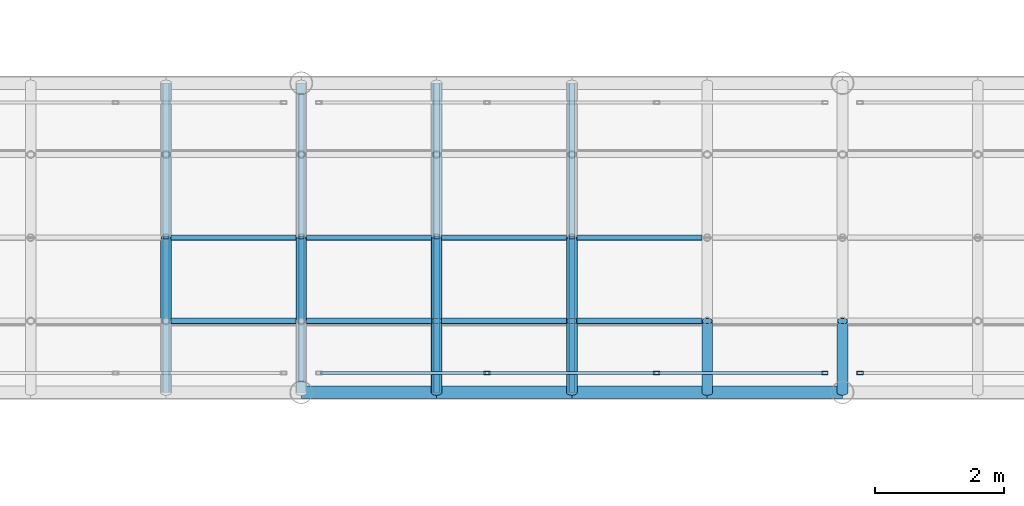
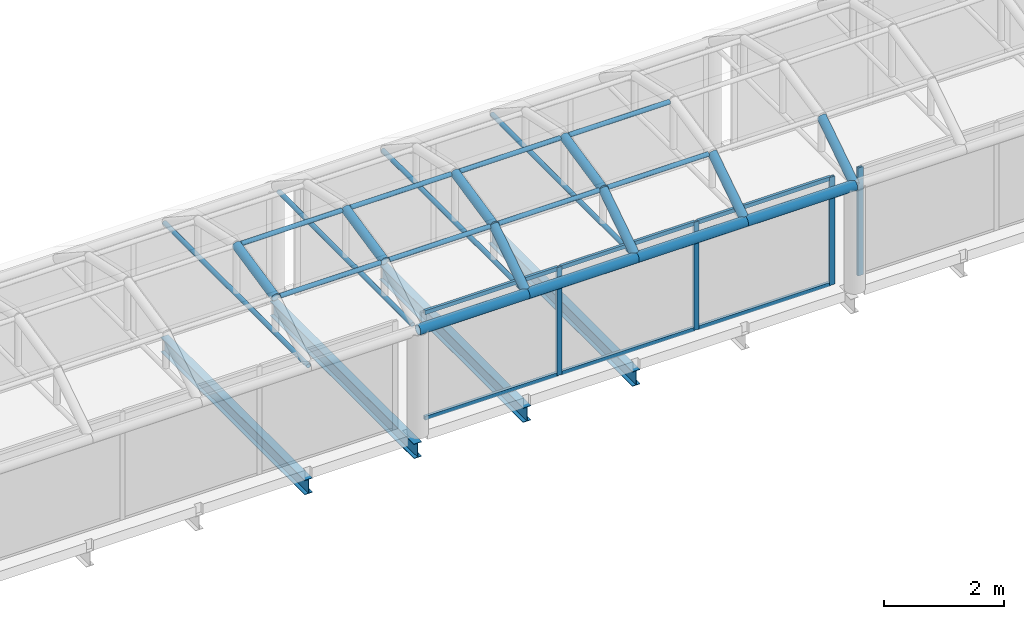
# One storey, part 39 of 167: 30 members, 8 beams, 2 elements without a shape of their own.
"""IFC4 building model written with IfcOpenShell, lengths in metres."""

from ifc_helpers import new_model, si_unit, direction, frame, origin, origin_2d, place, context, subcontext, project, spatial, hollow_rectangle, hollow_circle, i_section, extrude, material, material_profile, profile_set, type_object, element, aggregate, save


model = new_model("IFC4")

# Units and contexts
model_context = context("Model", 3, precision=1e-05, world=origin(), true_north=direction((0.0, 1.0)))
body_context = subcontext(model_context, "Body", "Model", "MODEL_VIEW")
ifc_project = project(units=[si_unit("LENGTHUNIT", "METRE"), si_unit("AREAUNIT", "SQUARE_METRE"), si_unit("VOLUMEUNIT", "CUBIC_METRE"), si_unit("PLANEANGLEUNIT", "RADIAN"), si_unit("MASSUNIT", "GRAM", prefix="KILO")], contexts=[model_context])

# Site, building, storey
site_placement = place(None, origin())
site = spatial("IfcSite", under=ifc_project, at=site_placement, CompositionType="ELEMENT")
building_placement = place(site_placement, origin())
building = spatial("IfcBuilding", under=site, at=building_placement, Name="Catenary Quay Ferry Terminal", CompositionType="ELEMENT")
storey_placement = place(building_placement, frame((0.0, 0.0, 6.0)))
storey = spatial("IfcBuildingStorey", under=building, at=storey_placement, Name="L01", CompositionType="ELEMENT", Elevation=6.0)

# Beams
ifc_material_1 = material(Name="Steel S355", Category="steel")
ifc_material_profile_1 = material_profile(ifc_material_1, i_section(OverallWidth=0.14990234375, OverallDepth=0.300048828125, WebThickness=0.007080078125, FlangeThickness=0.0107421875, at=origin_2d()), Name="IPE 300")
ifc_profile_set_1 = profile_set([ifc_material_profile_1], Name="Steel S355")
beam_type_1 = type_object("IfcBeamType", Name="B2 IPE 300", PredefinedType="BEAM", material=ifc_profile_set_1)
for number, where, z_axis, x_axis, name in (
    (1, (107.10009765625, 73.199951171875, -0.35009765625), (0.0, 1.0, 0.0), (-1.0, 0.0, 0.0), "Beam B2-007"),
    (2, (109.199951171875, 73.199951171875, -0.35009765625), (0.0, 1.0, 0.0), (-1.0, 0.0, 0.0), "Beam B2-008"),
    (3, (111.300048828125, 73.199951171875, -0.35009765625), (0.0, 1.0, 0.0), (-1.0, 0.0, 0.0), "Beam B2-009"),
    (4, (113.39990234375, 73.199951171875, -0.35009765625), (0.0, 1.0, 0.0), (-1.0, 0.0, 0.0), "Beam B2-010"),
):
    element("IfcBeam", number, at=place(storey_placement, frame(where, z_axis=z_axis, x_axis=x_axis)), inside=storey, type_object=beam_type_1, Name=name, PredefinedType="BEAM", context=body_context, shape_type="SweptSolid", body=[
        extrude(i_section(OverallWidth=0.14990234375, OverallDepth=0.300048828125, WebThickness=0.007080078125, FlangeThickness=0.0107421875, at=origin_2d()), origin(), (0.0, 0.0, 1.0), 4.800048828125),
    ])

# Curtain wall, members
ifc_material_2 = material(Name="Aluminium and glass", Category="aluminium")
curtain_wall_type = type_object("IfcCurtainWallType", Name="CWB", PredefinedType="NOTDEFINED", material=ifc_material_2)
curtain_wall_1_placement = place(storey_placement, origin())
curtain_wall_1 = element("IfcCurtainWall", 5, at=curtain_wall_1_placement, inside=storey, type_object=curtain_wall_type, Name="BB1 curtain wall CW58", PredefinedType="NOTDEFINED")
ifc_material_3 = material(Name="Aluminium", Category="aluminium")
ifc_material_profile_2 = material_profile(ifc_material_3, hollow_rectangle(XDim=0.050048828125, YDim=0.10009765625, WallThickness=0.0048828125, at=origin_2d()), Name="MU1")
ifc_profile_set_2 = profile_set([ifc_material_profile_2], Name="Aluminium")
member_type_1 = type_object("IfcMemberType", Name="MU1", PredefinedType="MULLION", material=ifc_profile_set_2)
member_1_placement = place(storey_placement, frame((112.083251953125, 73.5, 0.0), z_axis=(0.0, 0.0, 1.0), x_axis=(0.0, 1.0, 0.0)))
member_1 = element("IfcMember", 6, at=member_1_placement, type_object=member_type_1, Name="CW58 mullion 2", PredefinedType="MULLION", context=body_context, shape_type="SweptSolid", body=[
    extrude(hollow_rectangle(XDim=0.050048828125, YDim=0.10009765625, WallThickness=0.0048828125, at=origin_2d()), origin(), (0.0, 0.0, 1.0), 2.195068359375),
])
member_2_placement = place(storey_placement, frame((114.716552734375, 73.5, 0.0), z_axis=(0.0, 0.0, 1.0), x_axis=(0.0, 1.0, 0.0)))
member_2 = element("IfcMember", 7, at=member_2_placement, type_object=member_type_1, Name="CW58 mullion 3", PredefinedType="MULLION", context=body_context, shape_type="SweptSolid", body=[
    extrude(hollow_rectangle(XDim=0.050048828125, YDim=0.10009765625, WallThickness=0.0048828125, at=origin_2d()), origin(), (0.0, 0.0, 1.0), 2.195068359375),
])
member_3_placement = place(storey_placement, frame((117.324951171875, 73.5, 0.0), z_axis=(0.0, 0.0, 1.0), x_axis=(0.0, 1.0, 0.0)))
member_3 = element("IfcMember", 8, at=member_3_placement, type_object=member_type_1, Name="CW58 mullion 4", PredefinedType="MULLION", context=body_context, shape_type="SweptSolid", body=[
    extrude(hollow_rectangle(XDim=0.050048828125, YDim=0.10009765625, WallThickness=0.0048828125, at=origin_2d()), origin(), (0.0, 0.0, 1.0), 2.195068359375),
])

# Curtain wall, member
curtain_wall_2_placement = place(storey_placement, origin())
curtain_wall_2 = element("IfcCurtainWall", 9, at=curtain_wall_2_placement, inside=storey, type_object=curtain_wall_type, Name="BB1 curtain wall CW59", PredefinedType="NOTDEFINED")
member_4_placement = place(storey_placement, frame((117.875, 73.5, 0.0), z_axis=(0.0, 0.0, 1.0), x_axis=(0.0, 1.0, 0.0)))
member_4 = element("IfcMember", 10, at=member_4_placement, type_object=member_type_1, Name="CW59 mullion 1", PredefinedType="MULLION", context=body_context, shape_type="SweptSolid", body=[
    extrude(hollow_rectangle(XDim=0.050048828125, YDim=0.10009765625, WallThickness=0.0048828125, at=origin_2d()), origin(), (0.0, 0.0, 1.0), 2.195068359375),
])
aggregate(curtain_wall_2, [member_4])

# Members
ifc_material_4 = material(Name="Steel S355", Category="steel")
ifc_material_profile_3 = material_profile(ifc_material_4, hollow_circle(Radius=0.04443359375, WallThickness=0.0048828125, at=origin_2d()), Name="CHS 88.9x5")
ifc_profile_set_3 = profile_set([ifc_material_profile_3], Name="Steel S355")
member_type_2 = type_object("IfcMemberType", Name="PU3 CHS 88.9x5", PredefinedType="PURLIN", material=ifc_profile_set_3)
for number, where, z_axis, x_axis, name in (
    (11, (107.179931640625, 74.30810546875, 2.821044921875), (1.0, 0.0, 0.0), (0.0, 1.0, 0.0), "Purlin PU-RB1-08-01"),
    (12, (107.179931640625, 75.60009765625, 3.10009765625), (1.0, 0.0, 0.0), (0.0, 1.0, 0.0), "Purlin PU-RB1-08-02"),
):
    element("IfcMember", number, at=place(storey_placement, frame(where, z_axis=z_axis, x_axis=x_axis)), inside=storey, type_object=member_type_2, Name=name, PredefinedType="PURLIN", context=body_context, shape_type="SweptSolid", body=[
        extrude(hollow_circle(Radius=0.04443359375, WallThickness=0.0048828125, at=origin_2d()), origin(), (0.0, 0.0, 1.0), 1.940185546875),
    ])
for number, where, z_axis, x_axis, name in (
    (13, (109.280029296875, 74.30810546875, 2.821044921875), (1.0, 0.0, 0.0), (0.0, 1.0, 0.0), "Purlin PU-RB1-09-01"),
    (14, (109.280029296875, 75.60009765625, 3.10009765625), (1.0, 0.0, 0.0), (0.0, 1.0, 0.0), "Purlin PU-RB1-09-02"),
):
    element("IfcMember", number, at=place(storey_placement, frame(where, z_axis=z_axis, x_axis=x_axis)), inside=storey, type_object=member_type_2, Name=name, PredefinedType="PURLIN", context=body_context, shape_type="SweptSolid", body=[
        extrude(hollow_circle(Radius=0.04443359375, WallThickness=0.0048828125, at=origin_2d()), origin(), (0.0, 0.0, 1.0), 1.93994140625),
    ])
for number, where, z_axis, x_axis, name in (
    (15, (111.3798828125, 74.30810546875, 2.821044921875), (1.0, 0.0, 0.0), (0.0, 1.0, 0.0), "Purlin PU-RB1-10-01"),
    (16, (111.3798828125, 75.60009765625, 3.10009765625), (1.0, 0.0, 0.0), (0.0, 1.0, 0.0), "Purlin PU-RB1-10-02"),
):
    element("IfcMember", number, at=place(storey_placement, frame(where, z_axis=z_axis, x_axis=x_axis)), inside=storey, type_object=member_type_2, Name=name, PredefinedType="PURLIN", context=body_context, shape_type="SweptSolid", body=[
        extrude(hollow_circle(Radius=0.04443359375, WallThickness=0.0048828125, at=origin_2d()), origin(), (0.0, 0.0, 1.0), 1.940185546875),
    ])
for number, where, z_axis, x_axis, name in (
    (17, (113.47998046875, 74.30810546875, 2.821044921875), (1.0, 0.0, 0.0), (0.0, 1.0, 0.0), "Purlin PU-RB1-11-01"),
    (18, (113.47998046875, 75.60009765625, 3.10009765625), (1.0, 0.0, 0.0), (0.0, 1.0, 0.0), "Purlin PU-RB1-11-02"),
):
    element("IfcMember", number, at=place(storey_placement, frame(where, z_axis=z_axis, x_axis=x_axis)), inside=storey, type_object=member_type_2, Name=name, PredefinedType="PURLIN", context=body_context, shape_type="SweptSolid", body=[
        extrude(hollow_circle(Radius=0.04443359375, WallThickness=0.0048828125, at=origin_2d()), origin(), (0.0, 0.0, 1.0), 1.93994140625),
    ])

# Beams
ifc_material_5 = material(Name="Steel S355", Category="steel")
ifc_material_profile_4 = material_profile(ifc_material_5, hollow_circle(Radius=0.04443359375, WallThickness=0.0048828125, at=origin_2d()), Name="CHS 88.9x5")
ifc_profile_set_4 = profile_set([ifc_material_profile_4], Name="Steel S355")
beam_type_2 = type_object("IfcBeamType", Name="TB4 CHS 88.9x5", PredefinedType="BEAM", material=ifc_profile_set_4)
beam_1_placement = place(storey_placement, frame((107.10009765625, 73.199951171875, 2.10009765625), z_axis=(0.0, 1.0, 0.0), x_axis=(-1.0, 0.0, 0.0)))
element("IfcBeam", 19, at=beam_1_placement, inside=storey, type_object=beam_type_2, Name="tie beam RB1-08", PredefinedType="BEAM", context=body_context, shape_type="SweptSolid", body=[
    extrude(hollow_circle(Radius=0.04443359375, WallThickness=0.0048828125, at=origin_2d()), origin(), (0.0, 0.0, 1.0), 4.800048828125),
])
beam_2_placement = place(storey_placement, frame((109.199951171875, 73.3720703125, 2.10009765625), z_axis=(0.0, 1.0, 0.0), x_axis=(-1.0, 0.0, 0.0)))
element("IfcBeam", 20, at=beam_2_placement, inside=storey, type_object=beam_type_2, Name="tie beam RB1-09", PredefinedType="BEAM", context=body_context, shape_type="SweptSolid", body=[
    extrude(hollow_circle(Radius=0.04443359375, WallThickness=0.0048828125, at=origin_2d()), origin(), (0.0, 0.0, 1.0), 4.455810546875),
])
for number, where, z_axis, x_axis, name in (
    (21, (111.300048828125, 73.199951171875, 2.10009765625), (0.0, 1.0, 0.0), (-1.0, 0.0, 0.0), "tie beam RB1-10"),
    (22, (113.39990234375, 73.199951171875, 2.10009765625), (0.0, 1.0, 0.0), (-1.0, 0.0, 0.0), "tie beam RB1-11"),
):
    element("IfcBeam", number, at=place(storey_placement, frame(where, z_axis=z_axis, x_axis=x_axis)), inside=storey, type_object=beam_type_2, Name=name, PredefinedType="BEAM", context=body_context, shape_type="SweptSolid", body=[
        extrude(hollow_circle(Radius=0.04443359375, WallThickness=0.0048828125, at=origin_2d()), origin(), (0.0, 0.0, 1.0), 4.800048828125),
    ])

# Members
ifc_material_6 = material(Name="Steel S355", Category="steel")
ifc_material_profile_5 = material_profile(ifc_material_6, hollow_circle(Radius=0.096923828125, WallThickness=0.010009765625, at=origin_2d()), Name="CHS 193.7x10")
ifc_profile_set_5 = profile_set([ifc_material_profile_5], Name="Steel S355")
member_type_3 = type_object("IfcMemberType", Name="TC2 CHS 193.7x10", PredefinedType="CHORD", material=ifc_profile_set_5)
member_5_placement = place(storey_placement, frame((109.199951171875, 73.199951171875, 2.10009765625), z_axis=(1.0, 0.0, 0.0), x_axis=(0.0, 1.0, 0.0)))
element("IfcMember", 23, at=member_5_placement, inside=storey, type_object=member_type_3, Name="Bridge top chord BB1S-TC09", PredefinedType="CHORD", context=body_context, shape_type="SweptSolid", body=[
    extrude(hollow_circle(Radius=0.096923828125, WallThickness=0.010009765625, at=origin_2d()), origin(), (0.0, 0.0, 1.0), 2.10009765625),
])
member_6_placement = place(storey_placement, frame((111.300048828125, 73.199951171875, 2.10009765625), z_axis=(1.0, 0.0, 0.0), x_axis=(0.0, 1.0, 0.0)))
element("IfcMember", 24, at=member_6_placement, inside=storey, type_object=member_type_3, Name="Bridge top chord BB1S-TC10", PredefinedType="CHORD", context=body_context, shape_type="SweptSolid", body=[
    extrude(hollow_circle(Radius=0.096923828125, WallThickness=0.010009765625, at=origin_2d()), origin(), (0.0, 0.0, 1.0), 2.099853515625),
])
for number, where, z_axis, x_axis, name in (
    (25, (113.39990234375, 73.199951171875, 2.10009765625), (1.0, 0.0, 0.0), (0.0, 1.0, 0.0), "Bridge top chord BB1S-TC11"),
    (26, (115.5, 73.199951171875, 2.10009765625), (1.0, 0.0, 0.0), (0.0, 1.0, 0.0), "Bridge top chord BB1S-TC12"),
):
    element("IfcMember", number, at=place(storey_placement, frame(where, z_axis=z_axis, x_axis=x_axis)), inside=storey, type_object=member_type_3, Name=name, PredefinedType="CHORD", context=body_context, shape_type="SweptSolid", body=[
        extrude(hollow_circle(Radius=0.096923828125, WallThickness=0.010009765625, at=origin_2d()), origin(), (0.0, 0.0, 1.0), 2.10009765625),
    ])

# Member
ifc_material_7 = material(Name="Aluminium", Category="aluminium")
ifc_material_profile_6 = material_profile(ifc_material_7, hollow_rectangle(XDim=0.050048828125, YDim=0.080078125, WallThickness=0.00390625, at=origin_2d()), Name="TR1")
ifc_profile_set_6 = profile_set([ifc_material_profile_6], Name="Aluminium")
member_type_4 = type_object("IfcMemberType", Name="TR1", PredefinedType="USERDEFINED", material=ifc_profile_set_6)
member_7_placement = place(storey_placement, frame((109.5, 73.5, 0.02490234375), z_axis=(1.0, 0.0, 0.0), x_axis=(0.0, 1.0, 0.0)))
member_7 = element("IfcMember", 27, at=member_7_placement, type_object=member_type_4, Name="CW58 transom 1.1", ObjectType="TRANSOM", PredefinedType="USERDEFINED", context=body_context, shape_type="SweptSolid", body=[
    extrude(hollow_rectangle(XDim=0.050048828125, YDim=0.080078125, WallThickness=0.00390625, at=origin_2d()), origin(), (0.0, 0.0, 1.0), 2.558349609375),
])

member_8_placement = place(storey_placement, frame((109.5, 73.5, 2.169921875), z_axis=(1.0, 0.0, 0.0), x_axis=(0.0, 1.0, 0.0)))
member_8 = element("IfcMember", 28, at=member_8_placement, type_object=member_type_4, Name="CW58 transom 1.2", ObjectType="TRANSOM", PredefinedType="USERDEFINED", context=body_context, shape_type="SweptSolid", body=[
    extrude(hollow_rectangle(XDim=0.050048828125, YDim=0.080078125, WallThickness=0.00390625, at=origin_2d()), origin(), (0.0, 0.0, 1.0), 2.558349609375),
])

member_9_placement = place(storey_placement, frame((112.1083984375, 73.5, 0.02490234375), z_axis=(1.0, 0.0, 0.0), x_axis=(0.0, 1.0, 0.0)))
member_9 = element("IfcMember", 29, at=member_9_placement, type_object=member_type_4, Name="CW58 transom 2.1", ObjectType="TRANSOM", PredefinedType="USERDEFINED", context=body_context, shape_type="SweptSolid", body=[
    extrude(hollow_rectangle(XDim=0.050048828125, YDim=0.080078125, WallThickness=0.00390625, at=origin_2d()), origin(), (0.0, 0.0, 1.0), 2.583251953125),
])

member_10_placement = place(storey_placement, frame((112.1083984375, 73.5, 2.169921875), z_axis=(1.0, 0.0, 0.0), x_axis=(0.0, 1.0, 0.0)))
member_10 = element("IfcMember", 30, at=member_10_placement, type_object=member_type_4, Name="CW58 transom 2.2", ObjectType="TRANSOM", PredefinedType="USERDEFINED", context=body_context, shape_type="SweptSolid", body=[
    extrude(hollow_rectangle(XDim=0.050048828125, YDim=0.080078125, WallThickness=0.00390625, at=origin_2d()), origin(), (0.0, 0.0, 1.0), 2.583251953125),
])

member_11_placement = place(storey_placement, frame((114.74169921875, 73.5, 0.02490234375), z_axis=(1.0, 0.0, 0.0), x_axis=(0.0, 1.0, 0.0)))
member_11 = element("IfcMember", 31, at=member_11_placement, type_object=member_type_4, Name="CW58 transom 3.1", ObjectType="TRANSOM", PredefinedType="USERDEFINED", context=body_context, shape_type="SweptSolid", body=[
    extrude(hollow_rectangle(XDim=0.050048828125, YDim=0.080078125, WallThickness=0.00390625, at=origin_2d()), origin(), (0.0, 0.0, 1.0), 2.558349609375),
])

member_12_placement = place(storey_placement, frame((114.74169921875, 73.5, 2.169921875), z_axis=(1.0, 0.0, 0.0), x_axis=(0.0, 1.0, 0.0)))
member_12 = element("IfcMember", 32, at=member_12_placement, type_object=member_type_4, Name="CW58 transom 3.2", ObjectType="TRANSOM", PredefinedType="USERDEFINED", context=body_context, shape_type="SweptSolid", body=[
    extrude(hollow_rectangle(XDim=0.050048828125, YDim=0.080078125, WallThickness=0.00390625, at=origin_2d()), origin(), (0.0, 0.0, 1.0), 2.558349609375),
])

aggregate(curtain_wall_1, [member_1, member_2, member_3, member_7, member_8, member_9, member_10, member_11, member_12])

# Members
ifc_material_8 = material(Name="Steel S355", Category="steel")
ifc_material_profile_7 = material_profile(ifc_material_8, hollow_circle(Radius=0.084228515625, WallThickness=0.008056640625, at=origin_2d()), Name="CHS 168.3x8")
ifc_profile_set_7 = profile_set([ifc_material_profile_7], Name="Steel S355")
member_type_5 = type_object("IfcMemberType", Name="VR4 CHS 168.3x8", PredefinedType="RAFTER", material=ifc_profile_set_7)
for number, where, z_axis, x_axis, name in (
    (33, (107.10009765625, 74.30810546875, 2.821044921875), (0.0, 0.977460543774, 0.211118178672), (-1.0, 0.0, 0.0), "rib RB1-08-02"),
    (34, (109.199951171875, 74.30810546875, 2.821044921875), (0.0, 0.977460543774, 0.211118178672), (-1.0, 0.0, 0.0), "rib RB1-09-02"),
):
    element("IfcMember", number, at=place(storey_placement, frame(where, z_axis=z_axis, x_axis=x_axis)), inside=storey, type_object=member_type_5, Name=name, PredefinedType="RAFTER", context=body_context, shape_type="SweptSolid", body=[
        extrude(hollow_circle(Radius=0.084228515625, WallThickness=0.008056640625, at=origin_2d()), origin(), (0.0, 0.0, 1.0), 1.32177734375),
    ])
member_13_placement = place(storey_placement, frame((111.300048828125, 73.199951171875, 2.10009765625), z_axis=(0.0, 0.838219928753, 0.545332330823), x_axis=(-1.0, 0.0, 0.0)))
element("IfcMember", 35, at=member_13_placement, inside=storey, type_object=member_type_5, Name="rib RB1-10-01", PredefinedType="RAFTER", context=body_context, shape_type="SweptSolid", body=[
    extrude(hollow_circle(Radius=0.084228515625, WallThickness=0.008056640625, at=origin_2d()), origin(), (0.0, 0.0, 1.0), 1.322021484375),
])
member_14_placement = place(storey_placement, frame((111.300048828125, 74.30810546875, 2.821044921875), z_axis=(0.0, 0.977460543774, 0.211118178672), x_axis=(-1.0, 0.0, 0.0)))
element("IfcMember", 36, at=member_14_placement, inside=storey, type_object=member_type_5, Name="rib RB1-10-02", PredefinedType="RAFTER", context=body_context, shape_type="SweptSolid", body=[
    extrude(hollow_circle(Radius=0.084228515625, WallThickness=0.008056640625, at=origin_2d()), origin(), (0.0, 0.0, 1.0), 1.32177734375),
])
member_15_placement = place(storey_placement, frame((113.39990234375, 73.199951171875, 2.10009765625), z_axis=(0.0, 0.838219928753, 0.545332330823), x_axis=(-1.0, 0.0, 0.0)))
element("IfcMember", 37, at=member_15_placement, inside=storey, type_object=member_type_5, Name="rib RB1-11-01", PredefinedType="RAFTER", context=body_context, shape_type="SweptSolid", body=[
    extrude(hollow_circle(Radius=0.084228515625, WallThickness=0.008056640625, at=origin_2d()), origin(), (0.0, 0.0, 1.0), 1.322021484375),
])
member_16_placement = place(storey_placement, frame((113.39990234375, 74.30810546875, 2.821044921875), z_axis=(0.0, 0.977460543774, 0.211118178672), x_axis=(-1.0, 0.0, 0.0)))
element("IfcMember", 38, at=member_16_placement, inside=storey, type_object=member_type_5, Name="rib RB1-11-02", PredefinedType="RAFTER", context=body_context, shape_type="SweptSolid", body=[
    extrude(hollow_circle(Radius=0.084228515625, WallThickness=0.008056640625, at=origin_2d()), origin(), (0.0, 0.0, 1.0), 1.32177734375),
])
for number, where, z_axis, x_axis, name in (
    (39, (115.5, 73.199951171875, 2.10009765625), (0.0, 0.838219928753, 0.545332330823), (-1.0, 0.0, 0.0), "rib RB1-12-01"),
    (40, (117.60009765625, 73.199951171875, 2.10009765625), (0.0, 0.838219928753, 0.545332330823), (-1.0, 0.0, 0.0), "rib RB1-13-01"),
):
    element("IfcMember", number, at=place(storey_placement, frame(where, z_axis=z_axis, x_axis=x_axis)), inside=storey, type_object=member_type_5, Name=name, PredefinedType="RAFTER", context=body_context, shape_type="SweptSolid", body=[
        extrude(hollow_circle(Radius=0.084228515625, WallThickness=0.008056640625, at=origin_2d()), origin(), (0.0, 0.0, 1.0), 1.322021484375),
    ])

save(model, "model.ifc")
